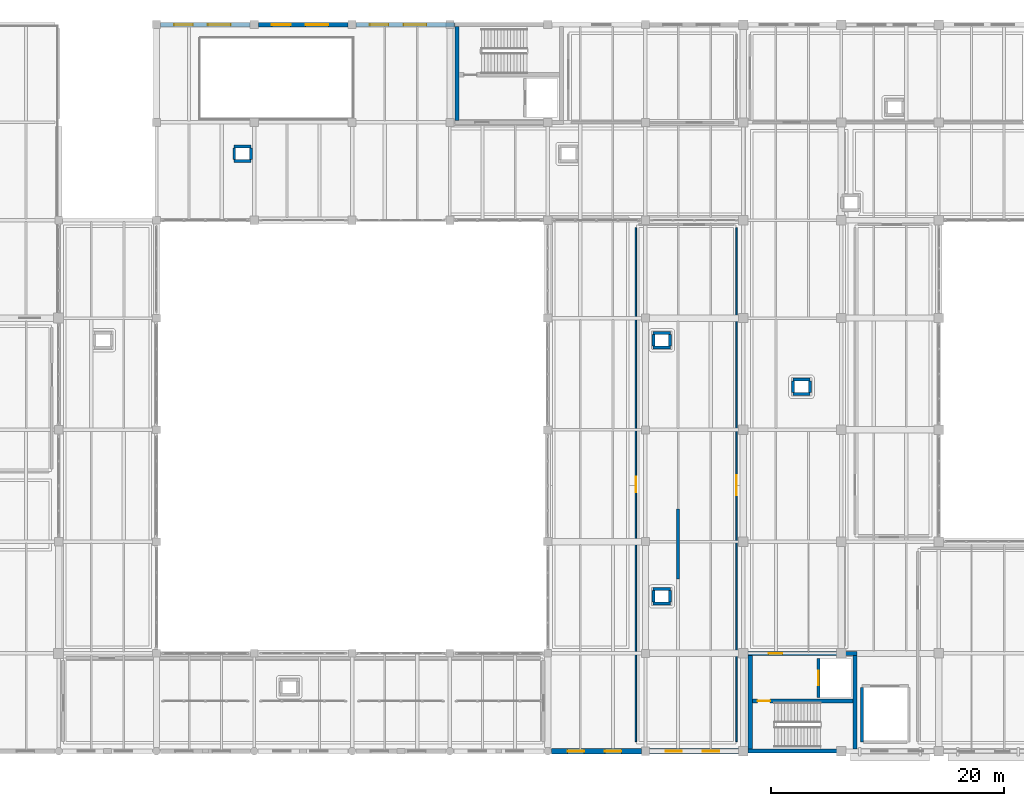
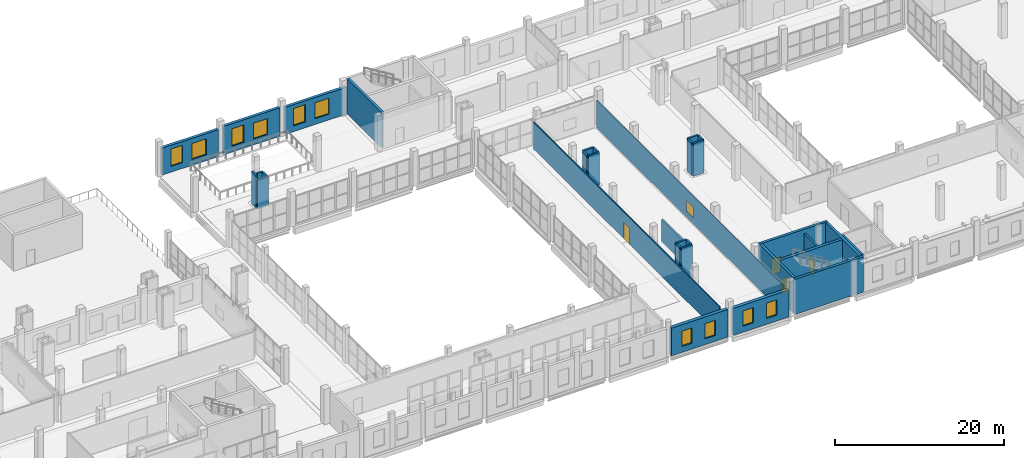
# One storey, part 58 of 73: 32 walls, 11 windows, 4 doors, 15 openings.
"""IFC4 building model written with IfcOpenShell, lengths in metres."""

import ifcopenshell
import ifcopenshell.guid

model = None  # the IFC model being written
_history = None  # IfcOwnerHistory: only IFC2X3 demands one
_inside = {}  # id of a spatial element -> (the spatial element, [elements in it])
_under = {}  # id of a project, library or spatial element -> (it, [spatial elements below it])
_declared = {}  # id of a project -> (the project, [libraries it declares])
_typed = {}  # id of a type object -> (the type object, [elements of that type])
_made_of = {}  # id of a material, layer set ... -> (it, [elements and type objects made of it])


def new_model(schema):
    """Start an empty IFC model of exactly this schema.

    Asked for "IFC4X3", IfcOpenShell would pick the latest addendum, in which some entities
    have other attributes; the version numbers below select the first issue.
    IFC2X3 requires an IfcOwnerHistory on every rooted entity: one is made here for all.
    """
    global model, _history
    if schema == "IFC4X3":
        model = ifcopenshell.file(schema_version=(4, 3, 0, 0))
    else:
        model = ifcopenshell.file(schema=schema)
    _inside.clear()
    _under.clear()
    _declared.clear()
    _typed.clear()
    _made_of.clear()
    _history = None
    if model.schema == "IFC2X3":
        org = make("IfcOrganization", Name="unknown")
        user = make(
            "IfcPersonAndOrganization",
            ThePerson=make("IfcPerson", FamilyName="unknown"),
            TheOrganization=org,
        )
        app = make(
            "IfcApplication",
            ApplicationDeveloper=org,
            Version="unknown",
            ApplicationFullName="unknown",
            ApplicationIdentifier="unknown",
        )
        _history = make(
            "IfcOwnerHistory",
            OwningUser=user,
            OwningApplication=app,
            ChangeAction="ADDED",
            CreationDate=0,
        )
    return model


def make(cls, **values):
    """One entity of the class cls with the attributes given. An attribute that is None is left unset."""
    return model.create_entity(
        cls, **{name: value for name, value in values.items() if value is not None}
    )


def rooted(cls, **values):
    """An entity with a GlobalId (a new one), such as an element, a storey or a relation."""
    return make(cls, GlobalId=ifcopenshell.guid.new(), OwnerHistory=_history, **values)


def si_unit(unit_type, name, prefix=None):
    """IfcSIUnit, for example si_unit("LENGTHUNIT", "METRE", prefix="MILLI")."""
    return make("IfcSIUnit", UnitType=unit_type, Prefix=prefix, Name=name)


def assignment(units):
    """IfcUnitAssignment: the units of a project."""
    return None if units is None else make("IfcUnitAssignment", Units=units)


def point(xyz):
    """IfcCartesianPoint."""
    return None if xyz is None else make("IfcCartesianPoint", Coordinates=xyz)


def direction(xyz):
    """IfcDirection."""
    return None if xyz is None else make("IfcDirection", DirectionRatios=xyz)


def frame(location, z_axis=None, x_axis=None):
    """IfcAxis2Placement3D, a coordinate frame: its origin and axes. An axis left out is left unset."""
    return make(
        "IfcAxis2Placement3D",
        Location=point(location),
        Axis=direction(z_axis),
        RefDirection=direction(x_axis),
    )


def frame_2d(location, x_axis=None):
    """IfcAxis2Placement2D, a coordinate frame in the plane: its origin and x axis."""
    return make(
        "IfcAxis2Placement2D", Location=point(location), RefDirection=direction(x_axis)
    )


def origin():
    """The frame at (0, 0, 0) with its axes left unset."""
    return frame((0.0, 0.0, 0.0))


def place(relative_to, where):
    """IfcLocalPlacement: puts the frame where relative to a parent placement (None: the world)."""
    return make(
        "IfcLocalPlacement", PlacementRelTo=relative_to, RelativePlacement=where
    )


def context(
    kind, dimensions, precision=None, world=None, true_north=None, identifier=None
):
    """IfcGeometricRepresentationContext, for example the 3D "Model" context."""
    return make(
        "IfcGeometricRepresentationContext",
        ContextIdentifier=identifier,
        ContextType=kind,
        CoordinateSpaceDimension=dimensions,
        Precision=precision,
        WorldCoordinateSystem=world,
        TrueNorth=true_north,
    )


def subcontext(parent, identifier, kind, view, scale=None):
    """IfcGeometricRepresentationSubContext, for example "Body" below "Model"."""
    return make(
        "IfcGeometricRepresentationSubContext",
        ContextIdentifier=identifier,
        ContextType=kind,
        ParentContext=parent,
        TargetScale=scale,
        TargetView=view,
    )


def project(units=None, contexts=None):
    """IfcProject with its units and contexts."""
    return rooted(
        "IfcProject",
        Name="project",
        RepresentationContexts=contexts,
        UnitsInContext=assignment(units),
    )


def spatial(cls, under=None, at=None, **own):
    """A site, building, storey or space (cls), placed at a placement, below another one or the project."""
    s = rooted(cls, ObjectPlacement=at, **own)
    if under is not None:
        _under.setdefault(under.id(), (under, []))[1].append(s)
    return s


def profile(cls, at=None, kind="AREA", **sizes):
    """A parametric profile (cls). Its sizes go by their IFC names, for example OverallWidth=200.0."""
    return make(cls, ProfileType=kind, Position=at, **sizes)


def rectangle(**sizes):
    """IfcRectangleProfileDef."""
    return profile("IfcRectangleProfileDef", **sizes)


def extrude(swept, where, along, depth):
    """IfcExtrudedAreaSolid: the profile swept, set in the frame where, extruded along a direction by depth."""
    return make(
        "IfcExtrudedAreaSolid",
        SweptArea=swept,
        Position=where,
        ExtrudedDirection=direction(along),
        Depth=depth,
    )


def shape(context_of_items, identifier, shape_type, items):
    """IfcShapeRepresentation: the items that make up one representation, for example the "Body"."""
    return make(
        "IfcShapeRepresentation",
        ContextOfItems=context_of_items,
        RepresentationIdentifier=identifier,
        RepresentationType=shape_type,
        Items=items,
    )


def material(Name=None, Category=None):
    """IfcMaterial."""
    return make("IfcMaterial", Name=Name, Category=Category)


def layer(
    of_material, thickness, ventilated=None, Name=None, Category=None, Priority=None
):
    """IfcMaterialLayer: one layer of a wall or slab, of a material (None: an air gap)."""
    return make(
        "IfcMaterialLayer",
        Material=of_material,
        LayerThickness=thickness,
        IsVentilated=ventilated,
        Name=Name,
        Category=Category,
        Priority=Priority,
    )


def layer_set(layers, Name=None):
    """IfcMaterialLayerSet."""
    return make("IfcMaterialLayerSet", MaterialLayers=layers, LayerSetName=Name)


def made_of(thing, what):
    """Note that an element or type object is made of a material, layer set ...; save() writes the relation."""
    if what is not None:
        _made_of.setdefault(what.id(), (what, []))[1].append(thing)
    return thing


def type_object(cls, material=None, **own):
    """A type object (cls), such as IfcWallType, which elements share."""
    return made_of(rooted(cls, **own), material)


def element(
    cls,
    number,
    at=None,
    inside=None,
    cuts=None,
    type_object=None,
    material=None,
    context=None,
    identifier="Body",
    shape_type=None,
    held_by="IfcProductDefinitionShape",
    body=None,
    shapes=None,
    **own,
):
    """One element of the class cls, such as IfcWall. Its Tag is "e" and its number.

    at: its placement. inside: the storey or other place that contains it. cuts: it is an
    opening in that element (IfcRelVoidsElement). A single representation is given by context,
    identifier, shape_type and body (its items); several are given by shapes. held_by: the class
    of the entity that holds the representations. save() writes the other relations.
    """
    e = rooted(cls, Tag="e%d" % number, ObjectPlacement=at, **own)
    if body is not None:
        shapes = [shape(context, identifier, shape_type, body)]
    if shapes is not None:
        e.Representation = make(held_by, Representations=shapes)
    if inside is not None:
        _inside.setdefault(inside.id(), (inside, []))[1].append(e)
    if cuts is not None:
        rooted(
            "IfcRelVoidsElement", RelatingBuildingElement=cuts, RelatedOpeningElement=e
        )
    if type_object is not None:
        _typed.setdefault(type_object.id(), (type_object, []))[1].append(e)
    return made_of(e, material)


def fill(opening, filler):
    """IfcRelFillsElement: the door or window that sits in an opening."""
    return rooted(
        "IfcRelFillsElement",
        RelatingOpeningElement=opening,
        RelatedBuildingElement=filler,
    )


def aggregate(whole, parts):
    """IfcRelAggregates: a whole, such as a stair, and the parts it consists of."""
    return rooted("IfcRelAggregates", RelatingObject=whole, RelatedObjects=parts)


def save(model, path):
    """Write the relations noted so far, then the file.

    IfcRelAggregates (storeys below a building ...), IfcRelContainedInSpatialStructure (elements
    in a storey), IfcRelDefinesByType, IfcRelAssociatesMaterial and IfcRelDeclares: one each for
    every whole, place, type object, material and project.
    """
    for whole, parts in _under.values():
        aggregate(whole, parts)
    for where, things in _inside.values():
        rooted(
            "IfcRelContainedInSpatialStructure",
            RelatedElements=things,
            RelatingStructure=where,
        )
    for kind, things in _typed.values():
        rooted("IfcRelDefinesByType", RelatedObjects=things, RelatingType=kind)
    for what, things in _made_of.values():
        rooted("IfcRelAssociatesMaterial", RelatedObjects=things, RelatingMaterial=what)
    for by, libraries in _declared.values():
        rooted("IfcRelDeclares", RelatingContext=by, RelatedDefinitions=libraries)
    model.write(path)


model = new_model("IFC4")

# Units and contexts
model_context = context("Model", 3, precision=1e-05, world=origin(), true_north=direction((0.0, 1.0)))
body_context = subcontext(model_context, "Body", "Model", "MODEL_VIEW")
ifc_project = project(units=[si_unit("LENGTHUNIT", "METRE"), si_unit("AREAUNIT", "SQUARE_METRE"), si_unit("VOLUMEUNIT", "CUBIC_METRE"), si_unit("PLANEANGLEUNIT", "RADIAN"), si_unit("MASSUNIT", "GRAM", prefix="KILO")], contexts=[model_context])

# Site, building, storey
site_placement = place(None, origin())
site = spatial("IfcSite", under=ifc_project, at=site_placement, CompositionType="ELEMENT")
building_placement = place(site_placement, origin())
building = spatial("IfcBuilding", under=site, at=building_placement, Name="Zulmaris Art Gallery", CompositionType="ELEMENT")
storey_placement = place(building_placement, frame((0.0, 0.0, 10.5)))
storey = spatial("IfcBuildingStorey", under=building, at=storey_placement, Name="L02", CompositionType="ELEMENT", Elevation=10.5)

# Wall, openings, windows
ifc_material_1 = material(Name="Omani Cream Limestone Ashlar Masonry", Category="masonry")
ifc_layer_1 = layer(ifc_material_1, 0.43994140625)
ifc_layer_set_1 = layer_set([ifc_layer_1], Name="Omani Cream Limestone Ashlar Masonry")
wall_type_1 = type_object("IfcWallType", Name="ENV-WALL-EW01", PredefinedType="SOLIDWALL", material=ifc_layer_set_1)
wall_1_placement = place(storey_placement, frame((125.126953125, 13.199951171875, 0.0), z_axis=(0.0, 0.0, 1.0), x_axis=(1.0, 0.0, 0.0)))
wall_1 = element("IfcWall", 1, at=wall_1_placement, inside=storey, type_object=wall_type_1, Name="L02 V4 South Street Facade", PredefinedType="SOLIDWALL", context=body_context, shape_type="SweptSolid", body=[
    extrude(rectangle(XDim=7.720947265625, YDim=0.43994140625, at=frame_2d((3.8603515625, 0.0))), origin(), (0.0, 0.0, 1.0), 4.0),
])
opening_1_placement = place(wall_1_placement, frame((1.39306640625, 0.0, 0.85009765625)))
opening_1 = element("IfcOpeningElement", 2, at=opening_1_placement, cuts=wall_1, Name="Opening W04", PredefinedType="OPENING", context=body_context, shape_type="SweptSolid", body=[
    extrude(rectangle(XDim=1.39990234375, YDim=2.199951171875, at=frame_2d((0.699951171875, 1.10009765625))), frame((0.0, 0.22998046875, 0.0), z_axis=(0.0, -1.0, 0.0), x_axis=(1.0, 0.0, 0.0)), (0.0, 0.0, 1.0), 0.4599609375),
])
opening_2_placement = place(wall_1_placement, frame((4.593017578125, 0.0, 0.85009765625)))
opening_2 = element("IfcOpeningElement", 3, at=opening_2_placement, cuts=wall_1, Name="Opening W04", PredefinedType="OPENING", context=body_context, shape_type="SweptSolid", body=[
    extrude(rectangle(XDim=1.39990234375, YDim=2.199951171875, at=frame_2d((0.699951171875, 1.10009765625))), frame((0.0, 0.22998046875, 0.0), z_axis=(0.0, -1.0, 0.0), x_axis=(1.0, 0.0, 0.0)), (0.0, 0.0, 1.0), 0.4599609375),
])
ifc_material_2 = material(Name="Deep-Reveal Limestone Slot Window", Category="masonry")
window_type_1 = type_object("IfcWindowType", Name="WIN-W04", PartitioningType="SINGLE_PANEL", PredefinedType="WINDOW", material=ifc_material_2)
window_1_placement = place(opening_1_placement, origin())
window_1 = element("IfcWindow", 4, at=window_1_placement, inside=storey, type_object=window_type_1, Name="L02 exterior window W04", OverallHeight=2.199951171875, OverallWidth=1.39990234375, PartitioningType="SINGLE_PANEL", PredefinedType="WINDOW", context=body_context, shape_type="SweptSolid", body=[
    extrude(rectangle(XDim=1.39990234375, YDim=2.199951171875, at=frame_2d((0.699951171875, 1.10009765625))), frame((0.0, 0.030029296875, 0.0), z_axis=(0.0, -1.0, 0.0), x_axis=(1.0, 0.0, 0.0)), (0.0, 0.0, 1.0), 0.06005859375),
])
fill(opening_1, window_1)
window_2_placement = place(opening_2_placement, origin())
window_2 = element("IfcWindow", 5, at=window_2_placement, inside=storey, type_object=window_type_1, Name="L02 exterior window W04", OverallHeight=2.199951171875, OverallWidth=1.39990234375, PartitioningType="SINGLE_PANEL", PredefinedType="WINDOW", context=body_context, shape_type="SweptSolid", body=[
    extrude(rectangle(XDim=1.39990234375, YDim=2.199951171875, at=frame_2d((0.699951171875, 1.10009765625))), frame((0.0, 0.030029296875, 0.0), z_axis=(0.0, -1.0, 0.0), x_axis=(1.0, 0.0, 0.0)), (0.0, 0.0, 1.0), 0.06005859375),
])
fill(opening_2, window_2)

wall_2_placement = place(storey_placement, frame((133.552001953125, 13.199951171875, 0.0), z_axis=(0.0, 0.0, 1.0), x_axis=(1.0, 0.0, 0.0)))
wall_2 = element("IfcWall", 6, at=wall_2_placement, inside=storey, type_object=wall_type_1, Name="L02 V4 South Street Facade", PredefinedType="SOLIDWALL", context=body_context, shape_type="SweptSolid", body=[
    extrude(rectangle(XDim=7.64599609375, YDim=0.43994140625, at=frame_2d((3.822998046875, 0.0))), origin(), (0.0, 0.0, 1.0), 3.89990234375),
])
opening_3_placement = place(wall_2_placement, frame((1.367919921875, 0.0, 0.85009765625)))
opening_3 = element("IfcOpeningElement", 7, at=opening_3_placement, cuts=wall_2, Name="Opening W04", PredefinedType="OPENING", context=body_context, shape_type="SweptSolid", body=[
    extrude(rectangle(XDim=1.39990234375, YDim=2.199951171875, at=frame_2d((0.699951171875, 1.10009765625))), frame((0.0, 0.22998046875, 0.0), z_axis=(0.0, -1.0, 0.0), x_axis=(1.0, 0.0, 0.0)), (0.0, 0.0, 1.0), 0.4599609375),
])
opening_4_placement = place(wall_2_placement, frame((4.568115234375, 0.0, 0.85009765625)))
opening_4 = element("IfcOpeningElement", 8, at=opening_4_placement, cuts=wall_2, Name="Opening W04", PredefinedType="OPENING", context=body_context, shape_type="SweptSolid", body=[
    extrude(rectangle(XDim=1.39990234375, YDim=2.199951171875, at=frame_2d((0.699951171875, 1.10009765625))), frame((0.0, 0.22998046875, 0.0), z_axis=(0.0, -1.0, 0.0), x_axis=(1.0, 0.0, 0.0)), (0.0, 0.0, 1.0), 0.4599609375),
])
window_3_placement = place(opening_3_placement, origin())
window_3 = element("IfcWindow", 9, at=window_3_placement, inside=storey, type_object=window_type_1, Name="L02 exterior window W04", OverallHeight=2.199951171875, OverallWidth=1.39990234375, PartitioningType="SINGLE_PANEL", PredefinedType="WINDOW", context=body_context, shape_type="SweptSolid", body=[
    extrude(rectangle(XDim=1.39990234375, YDim=2.199951171875, at=frame_2d((0.699951171875, 1.10009765625))), frame((0.0, 0.030029296875, 0.0), z_axis=(0.0, -1.0, 0.0), x_axis=(1.0, 0.0, 0.0)), (0.0, 0.0, 1.0), 0.06005859375),
])
fill(opening_3, window_3)
window_4_placement = place(opening_4_placement, origin())
window_4 = element("IfcWindow", 10, at=window_4_placement, inside=storey, type_object=window_type_1, Name="L02 exterior window W04", OverallHeight=2.199951171875, OverallWidth=1.39990234375, PartitioningType="SINGLE_PANEL", PredefinedType="WINDOW", context=body_context, shape_type="SweptSolid", body=[
    extrude(rectangle(XDim=1.39990234375, YDim=2.199951171875, at=frame_2d((0.699951171875, 1.10009765625))), frame((0.0, 0.030029296875, 0.0), z_axis=(0.0, -1.0, 0.0), x_axis=(1.0, 0.0, 0.0)), (0.0, 0.0, 1.0), 0.06005859375),
])
fill(opening_4, window_4)

ifc_material_3 = material(Name="Omani Desert Rose Limestone Cladding Wall", Category="masonry")
ifc_layer_2 = layer(ifc_material_3, 0.389892578125)
ifc_layer_set_2 = layer_set([ifc_layer_2], Name="Omani Desert Rose Limestone Cladding Wall")
wall_type_2 = type_object("IfcWallType", Name="ENV-WALL-EW02", PredefinedType="SOLIDWALL", material=ifc_layer_set_2)
wall_3_placement = place(storey_placement, frame((91.552001953125, 75.60009765625, 0.0), z_axis=(0.0, 0.0, 1.0), x_axis=(1.0, 0.0, 0.0)))
wall_3 = element("IfcWall", 11, at=wall_3_placement, inside=storey, type_object=wall_type_2, Name="L02 V4 North Alley Limestone Facade (91.2..99.6)", PredefinedType="SOLIDWALL", context=body_context, shape_type="SweptSolid", body=[
    extrude(rectangle(XDim=7.696044921875, YDim=0.389892578125, at=frame_2d((3.84814453125, 0.0))), origin(), (0.0, 0.0, 1.0), 3.89990234375),
])
opening_5_placement = place(wall_3_placement, frame((1.16796875, 0.0, 0.85009765625)))
opening_5 = element("IfcOpeningElement", 12, at=opening_5_placement, cuts=wall_3, Name="Opening W01", PredefinedType="OPENING", context=body_context, shape_type="SweptSolid", body=[
    extrude(rectangle(XDim=1.60009765625, YDim=2.5, at=frame_2d((0.800048828125, 1.25))), frame((0.0, 0.204833984375, 0.0), z_axis=(0.0, -1.0, 0.0), x_axis=(1.0, 0.0, 0.0)), (0.0, 0.0, 1.0), 0.409912109375),
])
opening_6_placement = place(wall_3_placement, frame((4.068115234375, 0.0, 0.85009765625)))
opening_6 = element("IfcOpeningElement", 13, at=opening_6_placement, cuts=wall_3, Name="Opening W08", PredefinedType="OPENING", context=body_context, shape_type="SweptSolid", body=[
    extrude(rectangle(XDim=1.949951171875, YDim=2.300048828125, at=frame_2d((0.97509765625, 1.14990234375))), frame((0.0, 0.204833984375, 0.0), z_axis=(0.0, -1.0, 0.0), x_axis=(1.0, 0.0, 0.0)), (0.0, 0.0, 1.0), 0.409912109375),
])
ifc_material_4 = material(Name="Double-Glazed Solar-Control Low-E Window", Category="glass")
window_type_2 = type_object("IfcWindowType", Name="WIN-W01", PartitioningType="SINGLE_PANEL", PredefinedType="WINDOW", material=ifc_material_4)
window_5_placement = place(opening_5_placement, origin())
window_5 = element("IfcWindow", 14, at=window_5_placement, inside=storey, type_object=window_type_2, Name="L02 exterior window W01", OverallHeight=2.5, OverallWidth=1.60009765625, PartitioningType="SINGLE_PANEL", PredefinedType="WINDOW", context=body_context, shape_type="SweptSolid", body=[
    extrude(rectangle(XDim=1.60009765625, YDim=2.5, at=frame_2d((0.800048828125, 1.25))), frame((0.0, 0.030029296875, 0.0), z_axis=(0.0, -1.0, 0.0), x_axis=(1.0, 0.0, 0.0)), (0.0, 0.0, 1.0), 0.06005859375),
])
fill(opening_5, window_5)
ifc_material_5 = material(Name="Curatorial North Studio Window", Category="glass")
window_type_3 = type_object("IfcWindowType", Name="WIN-W08", PartitioningType="SINGLE_PANEL", PredefinedType="WINDOW", material=ifc_material_5)
window_6_placement = place(opening_6_placement, origin())
window_6 = element("IfcWindow", 15, at=window_6_placement, inside=storey, type_object=window_type_3, Name="L02 exterior window W08", OverallHeight=2.300048828125, OverallWidth=1.949951171875, PartitioningType="SINGLE_PANEL", PredefinedType="WINDOW", context=body_context, shape_type="SweptSolid", body=[
    extrude(rectangle(XDim=1.949951171875, YDim=2.300048828125, at=frame_2d((0.97509765625, 1.14990234375))), frame((0.0, 0.030029296875, 0.0), z_axis=(0.0, -1.0, 0.0), x_axis=(1.0, 0.0, 0.0)), (0.0, 0.0, 1.0), 0.06005859375),
])
fill(opening_6, window_6)

wall_4_placement = place(storey_placement, frame((99.951904296875, 75.60009765625, 0.0), z_axis=(0.0, 0.0, 1.0), x_axis=(1.0, 0.0, 0.0)))
wall_4 = element("IfcWall", 16, at=wall_4_placement, inside=storey, type_object=wall_type_2, Name="L02 V4 North Alley Limestone Facade (99.6..108.0)", PredefinedType="SOLIDWALL", context=body_context, shape_type="SweptSolid", body=[
    extrude(rectangle(XDim=7.696044921875, YDim=0.389892578125, at=frame_2d((3.84814453125, 0.0))), origin(), (0.0, 0.0, 1.0), 4.10009765625),
])
opening_7_placement = place(wall_4_placement, frame((1.16796875, 0.0, 0.85009765625)))
opening_7 = element("IfcOpeningElement", 17, at=opening_7_placement, cuts=wall_4, Name="Opening W01", PredefinedType="OPENING", context=body_context, shape_type="SweptSolid", body=[
    extrude(rectangle(XDim=1.60009765625, YDim=2.5, at=frame_2d((0.800048828125, 1.25))), frame((0.0, 0.204833984375, 0.0), z_axis=(0.0, -1.0, 0.0), x_axis=(1.0, 0.0, 0.0)), (0.0, 0.0, 1.0), 0.409912109375),
])
opening_8_placement = place(wall_4_placement, frame((4.068115234375, 0.0, 0.85009765625)))
opening_8 = element("IfcOpeningElement", 18, at=opening_8_placement, cuts=wall_4, Name="Opening W08", PredefinedType="OPENING", context=body_context, shape_type="SweptSolid", body=[
    extrude(rectangle(XDim=1.949951171875, YDim=2.300048828125, at=frame_2d((0.97509765625, 1.14990234375))), frame((0.0, 0.204833984375, 0.0), z_axis=(0.0, -1.0, 0.0), x_axis=(1.0, 0.0, 0.0)), (0.0, 0.0, 1.0), 0.409912109375),
])
window_7_placement = place(opening_7_placement, origin())
window_7 = element("IfcWindow", 19, at=window_7_placement, inside=storey, type_object=window_type_2, Name="L02 exterior window W01", OverallHeight=2.5, OverallWidth=1.60009765625, PartitioningType="SINGLE_PANEL", PredefinedType="WINDOW", context=body_context, shape_type="SweptSolid", body=[
    extrude(rectangle(XDim=1.60009765625, YDim=2.5, at=frame_2d((0.800048828125, 1.25))), frame((0.0, 0.030029296875, 0.0), z_axis=(0.0, -1.0, 0.0), x_axis=(1.0, 0.0, 0.0)), (0.0, 0.0, 1.0), 0.06005859375),
])
fill(opening_7, window_7)
window_8_placement = place(opening_8_placement, origin())
window_8 = element("IfcWindow", 20, at=window_8_placement, inside=storey, type_object=window_type_3, Name="L02 exterior window W08", OverallHeight=2.300048828125, OverallWidth=1.949951171875, PartitioningType="SINGLE_PANEL", PredefinedType="WINDOW", context=body_context, shape_type="SweptSolid", body=[
    extrude(rectangle(XDim=1.949951171875, YDim=2.300048828125, at=frame_2d((0.97509765625, 1.14990234375))), frame((0.0, 0.030029296875, 0.0), z_axis=(0.0, -1.0, 0.0), x_axis=(1.0, 0.0, 0.0)), (0.0, 0.0, 1.0), 0.06005859375),
])
fill(opening_8, window_8)

wall_5_placement = place(storey_placement, frame((108.35205078125, 75.60009765625, 0.0), z_axis=(0.0, 0.0, 1.0), x_axis=(1.0, 0.0, 0.0)))
wall_5 = element("IfcWall", 21, at=wall_5_placement, inside=storey, type_object=wall_type_2, Name="L02 V4 North Alley Limestone Facade (108.0..116.8)", PredefinedType="SOLIDWALL", context=body_context, shape_type="SweptSolid", body=[
    extrude(rectangle(XDim=8.43603515625, YDim=0.389892578125, at=frame_2d((4.218017578125, 0.0))), origin(), (0.0, 0.0, 1.0), 3.89990234375),
])
opening_9_placement = place(wall_5_placement, frame((1.16796875, 0.0, 0.85009765625)))
opening_9 = element("IfcOpeningElement", 22, at=opening_9_placement, cuts=wall_5, Name="Opening W01", PredefinedType="OPENING", context=body_context, shape_type="SweptSolid", body=[
    extrude(rectangle(XDim=1.60009765625, YDim=2.5, at=frame_2d((0.800048828125, 1.25))), frame((0.0, 0.204833984375, 0.0), z_axis=(0.0, -1.0, 0.0), x_axis=(1.0, 0.0, 0.0)), (0.0, 0.0, 1.0), 0.409912109375),
])
opening_10_placement = place(wall_5_placement, frame((4.068115234375, 0.0, 0.85009765625)))
opening_10 = element("IfcOpeningElement", 23, at=opening_10_placement, cuts=wall_5, Name="Opening W08", PredefinedType="OPENING", context=body_context, shape_type="SweptSolid", body=[
    extrude(rectangle(XDim=1.949951171875, YDim=2.300048828125, at=frame_2d((0.97509765625, 1.14990234375))), frame((0.0, 0.204833984375, 0.0), z_axis=(0.0, -1.0, 0.0), x_axis=(1.0, 0.0, 0.0)), (0.0, 0.0, 1.0), 0.409912109375),
])
window_9_placement = place(opening_9_placement, origin())
window_9 = element("IfcWindow", 24, at=window_9_placement, inside=storey, type_object=window_type_2, Name="L02 exterior window W01", OverallHeight=2.5, OverallWidth=1.60009765625, PartitioningType="SINGLE_PANEL", PredefinedType="WINDOW", context=body_context, shape_type="SweptSolid", body=[
    extrude(rectangle(XDim=1.60009765625, YDim=2.5, at=frame_2d((0.800048828125, 1.25))), frame((0.0, 0.030029296875, 0.0), z_axis=(0.0, -1.0, 0.0), x_axis=(1.0, 0.0, 0.0)), (0.0, 0.0, 1.0), 0.06005859375),
])
fill(opening_9, window_9)
window_10_placement = place(opening_10_placement, origin())
window_10 = element("IfcWindow", 25, at=window_10_placement, inside=storey, type_object=window_type_3, Name="L02 exterior window W08", OverallHeight=2.300048828125, OverallWidth=1.949951171875, PartitioningType="SINGLE_PANEL", PredefinedType="WINDOW", context=body_context, shape_type="SweptSolid", body=[
    extrude(rectangle(XDim=1.949951171875, YDim=2.300048828125, at=frame_2d((0.97509765625, 1.14990234375))), frame((0.0, 0.030029296875, 0.0), z_axis=(0.0, -1.0, 0.0), x_axis=(1.0, 0.0, 0.0)), (0.0, 0.0, 1.0), 0.06005859375),
])
fill(opening_10, window_10)

# Wall
ifc_material_6 = material(Name="Pivoting Double-Sided Canvas Display Wall D", Category="timber")
ifc_layer_3 = layer(ifc_material_6, 0.248046875)
ifc_layer_set_3 = layer_set([ifc_layer_3], Name="Pivoting Double-Sided Canvas Display Wall D")
wall_type_3 = type_object("IfcWallType", Name="IWALL-MW04", PredefinedType="MOVABLE", material=ifc_layer_set_3)
wall_6_placement = place(storey_placement, frame((136.0, 28.0, 0.0), z_axis=(0.0, 0.0, 1.0), x_axis=(0.0, 1.0, 0.0)))
element("IfcWall", 26, at=wall_6_placement, inside=storey, type_object=wall_type_3, Name="L02 Movable Gallery Display Wall 12", PredefinedType="MOVABLE", context=body_context, shape_type="SweptSolid", body=[
    extrude(rectangle(XDim=6.0, YDim=0.248046875, at=frame_2d((3.0, 0.0))), origin(), (0.0, 0.0, 1.0), 3.199951171875),
])

# Wall, opening, door
ifc_material_7 = material(Name="Light Gallery Backing Partition", Category="gypsum")
ifc_layer_4 = layer(ifc_material_7, 0.1298828125)
ifc_layer_set_4 = layer_set([ifc_layer_4], Name="Light Gallery Backing Partition")
wall_type_4 = type_object("IfcWallType", Name="IWALL-PW03", PredefinedType="PARTITIONING", material=ifc_layer_set_4)
wall_7_placement = place(storey_placement, frame((132.3798828125, 14.030029296875, 0.0), z_axis=(0.0, 0.0, 1.0), x_axis=(0.0, 1.0, 0.0)))
wall_7 = element("IfcWall", 27, at=wall_7_placement, inside=storey, type_object=wall_type_4, Name="Architectural Models & Drawings Gallery W partition", PredefinedType="PARTITIONING", context=body_context, shape_type="SweptSolid", body=[
    extrude(rectangle(XDim=44.139892578125, YDim=0.1298828125, at=frame_2d((22.06982421875, 0.0))), origin(), (0.0, 0.0, 1.0), 3.89990234375),
])
opening_11_placement = place(wall_7_placement, frame((21.39990234375, 0.0, 0.0)))
opening_11 = element("IfcOpeningElement", 28, at=opening_11_placement, cuts=wall_7, Name="Opening D11", PredefinedType="OPENING", context=body_context, shape_type="SweptSolid", body=[
    extrude(rectangle(XDim=1.360107421875, YDim=2.360107421875, at=frame_2d((0.68017578125, 1.18017578125))), frame((0.0, 0.074951171875, 0.0), z_axis=(0.0, -1.0, 0.0), x_axis=(1.0, 0.0, 0.0)), (0.0, 0.0, 1.0), 0.14990234375),
])
ifc_material_8 = material(Name="Workshop Acoustic Steel Door", Category="steel")
door_type_1 = type_object("IfcDoorType", Name="IDOOR-D11", OperationType="NOTDEFINED", PredefinedType="DOOR", material=ifc_material_8)
door_1_placement = place(opening_11_placement, origin())
door_1 = element("IfcDoor", 29, at=door_1_placement, inside=storey, type_object=door_type_1, Name="Architectural Models & Drawings Gallery Door", OperationType="SINGLE_SWING_RIGHT", OverallHeight=2.360107421875, OverallWidth=1.360107421875, PredefinedType="DOOR", context=body_context, shape_type="SweptSolid", body=[
    extrude(rectangle(XDim=1.360107421875, YDim=2.360107421875, at=frame_2d((0.68017578125, 1.18017578125))), frame((0.0, 0.02490234375, 0.0), z_axis=(0.0, -1.0, 0.0), x_axis=(1.0, 0.0, 0.0)), (0.0, 0.0, 1.0), 0.050048828125),
])
fill(opening_11, door_1)

# Wall, opening, window
wall_8_placement = place(storey_placement, frame((141.02001953125, 14.030029296875, 0.0), z_axis=(0.0, 0.0, 1.0), x_axis=(0.0, 1.0, 0.0)))
wall_8 = element("IfcWall", 30, at=wall_8_placement, inside=storey, type_object=wall_type_4, Name="Architectural Models & Drawings Gallery E partition", PredefinedType="PARTITIONING", context=body_context, shape_type="SweptSolid", body=[
    extrude(rectangle(XDim=44.139892578125, YDim=0.1298828125, at=frame_2d((22.06982421875, 0.0))), origin(), (0.0, 0.0, 1.0), 4.0),
])
opening_12_placement = place(wall_8_placement, frame((21.14990234375, 0.0, 0.89990234375)))
opening_12 = element("IfcOpeningElement", 31, at=opening_12_placement, cuts=wall_8, Name="Opening IW06", PredefinedType="OPENING", context=body_context, shape_type="SweptSolid", body=[
    extrude(rectangle(XDim=1.719970703125, YDim=1.4599609375, at=frame_2d((0.85986328125, 0.72998046875))), frame((0.0, 0.074951171875, 0.0), z_axis=(0.0, -1.0, 0.0), x_axis=(1.0, 0.0, 0.0)), (0.0, 0.0, 1.0), 0.14990234375),
])
ifc_material_9 = material(Name="Library Reading Room Internal Glazing", Category="glass")
window_type_4 = type_object("IfcWindowType", Name="IWIN-IW06", PartitioningType="SINGLE_PANEL", PredefinedType="WINDOW", material=ifc_material_9)
window_11_placement = place(opening_12_placement, origin())
window_11 = element("IfcWindow", 32, at=window_11_placement, inside=storey, type_object=window_type_4, Name="L02 interior observation window IW06", OverallHeight=1.4599609375, OverallWidth=1.719970703125, PartitioningType="SINGLE_PANEL", PredefinedType="WINDOW", context=body_context, shape_type="SweptSolid", body=[
    extrude(rectangle(XDim=1.719970703125, YDim=1.4599609375, at=frame_2d((0.85986328125, 0.72998046875))), frame((0.0, 0.030029296875, 0.0), z_axis=(0.0, -1.0, 0.0), x_axis=(1.0, 0.0, 0.0)), (0.0, 0.0, 1.0), 0.06005859375),
])
fill(opening_12, window_11)

# Wall, opening, door
ifc_material_10 = material(Name="Core Lobby Fire-Resisting Masonry Wall", Category="masonry")
ifc_layer_5 = layer(ifc_material_10, 0.235107421875)
ifc_layer_set_5 = layer_set([ifc_layer_5], Name="Core Lobby Fire-Resisting Masonry Wall")
wall_type_5 = type_object("IfcWallType", Name="IWALL-PW10", PredefinedType="PARTITIONING", material=ifc_layer_set_5)
wall_9_placement = place(storey_placement, frame((148.050048828125, 17.820068359375, 0.0), z_axis=(0.0, 0.0, 1.0), x_axis=(0.0, 1.0, 0.0)))
wall_9 = element("IfcWall", 33, at=wall_9_placement, inside=storey, type_object=wall_type_5, Name="LF-F2 L02 lift shaft front wall", PredefinedType="PARTITIONING", context=body_context, shape_type="SweptSolid", body=[
    extrude(rectangle(XDim=3.329833984375, YDim=0.235107421875, at=frame_2d((1.6650390625, 0.0))), origin(), (0.0, 0.0, 1.0), 4.719970703125),
])
opening_13_placement = place(wall_9_placement, frame((1.054931640625, 0.0, 0.0)))
opening_13 = element("IfcOpeningElement", 34, at=opening_13_placement, cuts=wall_9, Name="Opening LD02", PredefinedType="OPENING", context=body_context, shape_type="SweptSolid", body=[
    extrude(rectangle(XDim=1.219970703125, YDim=2.239990234375, at=frame_2d((0.60986328125, 1.1201171875))), frame((0.0, 0.12744140625, 0.0), z_axis=(0.0, -1.0, 0.0), x_axis=(1.0, 0.0, 0.0)), (0.0, 0.0, 1.0), 0.255126953125),
])
ifc_material_11 = material(Name="Firefighting Lift Sliding Landing Door", Category="steel")
door_type_2 = type_object("IfcDoorType", Name="IDOOR-LD02", OperationType="SLIDING_TO_RIGHT", PredefinedType="DOOR", material=ifc_material_11)
door_2_placement = place(opening_13_placement, origin())
door_2 = element("IfcDoor", 35, at=door_2_placement, inside=storey, type_object=door_type_2, Name="LF-F2 L02 Lift Landing Sliding Door", OperationType="SLIDING_TO_RIGHT", OverallHeight=2.239990234375, OverallWidth=1.219970703125, PredefinedType="DOOR", context=body_context, shape_type="SweptSolid", body=[
    extrude(rectangle(XDim=1.219970703125, YDim=2.239990234375, at=frame_2d((0.60986328125, 1.1201171875))), frame((0.0, 0.02490234375, 0.0), z_axis=(0.0, -1.0, 0.0), x_axis=(1.0, 0.0, 0.0)), (0.0, 0.0, 1.0), 0.050048828125),
])
fill(opening_13, door_2)

# Walls
wall_10_placement = place(storey_placement, frame((151.800048828125, 14.0, 0.0), z_axis=(0.0, 0.0, 1.0), x_axis=(0.0, 1.0, 0.0)))
element("IfcWall", 36, at=wall_10_placement, inside=storey, type_object=wall_type_5, Name="Goods Lift L02 west shaft wall", PredefinedType="PARTITIONING", context=body_context, shape_type="SweptSolid", body=[
    extrude(rectangle(XDim=4.659912109375, YDim=0.235107421875, at=frame_2d((2.330078125, 0.0))), origin(), (0.0, 0.0, 1.0), 4.719970703125),
])
ifc_material_12 = material(Name="MEP Riser & Smoke Shaft Enclosure Wall", Category="masonry")
ifc_layer_6 = layer(ifc_material_12, 0.2548828125)
ifc_layer_set_6 = layer_set([ifc_layer_6], Name="MEP Riser & Smoke Shaft Enclosure Wall")
wall_type_6 = type_object("IfcWallType", Name="IWALL-PW11", PredefinedType="PARTITIONING", material=ifc_layer_set_6)
for number, where, z_axis, x_axis, name in (
    (37, (97.860107421875, 65.1201171875, 0.0), (0.0, 0.0, 1.0), (1.0, 0.0, 0.0), "L02 MEP Riser 9 N wall"),
    (38, (97.860107421875, 63.8798828125, 0.0), (0.0, 0.0, 1.0), (1.0, 0.0, 0.0), "L02 MEP Riser 9 S wall"),
):
    element("IfcWall", number, at=place(storey_placement, frame(where, z_axis=z_axis, x_axis=x_axis)), inside=storey, type_object=wall_type_6, Name=name, PredefinedType="PARTITIONING", context=body_context, shape_type="SweptSolid", body=[
        extrude(rectangle(XDim=1.47998046875, YDim=0.2548828125, at=frame_2d((0.739990234375, 0.0))), origin(), (0.0, 0.0, 1.0), 4.10009765625),
    ])
wall_11_placement = place(storey_placement, frame((97.8798828125, 64.0, 0.0), z_axis=(0.0, 0.0, 1.0), x_axis=(0.0, 1.0, 0.0)))
element("IfcWall", 39, at=wall_11_placement, inside=storey, type_object=wall_type_6, Name="L02 MEP Riser 9 W wall", PredefinedType="PARTITIONING", context=body_context, shape_type="SweptSolid", body=[
    extrude(rectangle(XDim=1.0, YDim=0.2548828125, at=frame_2d((0.5, 0.0))), origin(), (0.0, 0.0, 1.0), 4.719970703125),
])
wall_12_placement = place(storey_placement, frame((99.320068359375, 64.0, 0.0), z_axis=(0.0, 0.0, 1.0), x_axis=(0.0, 1.0, 0.0)))
element("IfcWall", 40, at=wall_12_placement, inside=storey, type_object=wall_type_6, Name="L02 MEP Riser 9 E wall", PredefinedType="PARTITIONING", context=body_context, shape_type="SweptSolid", body=[
    extrude(rectangle(XDim=1.0, YDim=0.2548828125, at=frame_2d((0.5, 0.0))), origin(), (0.0, 0.0, 1.0), 4.10009765625),
])
for number, where, z_axis, x_axis, name in (
    (41, (133.860107421875, 27.1201171875, 0.0), (0.0, 0.0, 1.0), (1.0, 0.0, 0.0), "L02 MEP Riser 11 N wall"),
    (42, (133.860107421875, 25.8798828125, 0.0), (0.0, 0.0, 1.0), (1.0, 0.0, 0.0), "L02 MEP Riser 11 S wall"),
):
    element("IfcWall", number, at=place(storey_placement, frame(where, z_axis=z_axis, x_axis=x_axis)), inside=storey, type_object=wall_type_6, Name=name, PredefinedType="PARTITIONING", context=body_context, shape_type="SweptSolid", body=[
        extrude(rectangle(XDim=1.47998046875, YDim=0.2548828125, at=frame_2d((0.739990234375, 0.0))), origin(), (0.0, 0.0, 1.0), 4.719970703125),
    ])
for number, where, z_axis, x_axis, name in (
    (43, (133.8798828125, 26.0, 0.0), (0.0, 0.0, 1.0), (0.0, 1.0, 0.0), "L02 MEP Riser 11 W wall"),
    (44, (135.320068359375, 26.0, 0.0), (0.0, 0.0, 1.0), (0.0, 1.0, 0.0), "L02 MEP Riser 11 E wall"),
):
    element("IfcWall", number, at=place(storey_placement, frame(where, z_axis=z_axis, x_axis=x_axis)), inside=storey, type_object=wall_type_6, Name=name, PredefinedType="PARTITIONING", context=body_context, shape_type="SweptSolid", body=[
        extrude(rectangle(XDim=1.0, YDim=0.2548828125, at=frame_2d((0.5, 0.0))), origin(), (0.0, 0.0, 1.0), 4.719970703125),
    ])
for number, where, z_axis, x_axis, name in (
    (45, (133.860107421875, 49.1201171875, 0.0), (0.0, 0.0, 1.0), (1.0, 0.0, 0.0), "L02 MEP Riser 12 N wall"),
    (46, (133.860107421875, 47.8798828125, 0.0), (0.0, 0.0, 1.0), (1.0, 0.0, 0.0), "L02 MEP Riser 12 S wall"),
):
    element("IfcWall", number, at=place(storey_placement, frame(where, z_axis=z_axis, x_axis=x_axis)), inside=storey, type_object=wall_type_6, Name=name, PredefinedType="PARTITIONING", context=body_context, shape_type="SweptSolid", body=[
        extrude(rectangle(XDim=1.47998046875, YDim=0.2548828125, at=frame_2d((0.739990234375, 0.0))), origin(), (0.0, 0.0, 1.0), 4.719970703125),
    ])
for number, where, z_axis, x_axis, name in (
    (47, (133.8798828125, 48.0, 0.0), (0.0, 0.0, 1.0), (0.0, 1.0, 0.0), "L02 MEP Riser 12 W wall"),
    (48, (135.320068359375, 48.0, 0.0), (0.0, 0.0, 1.0), (0.0, 1.0, 0.0), "L02 MEP Riser 12 E wall"),
):
    element("IfcWall", number, at=place(storey_placement, frame(where, z_axis=z_axis, x_axis=x_axis)), inside=storey, type_object=wall_type_6, Name=name, PredefinedType="PARTITIONING", context=body_context, shape_type="SweptSolid", body=[
        extrude(rectangle(XDim=1.0, YDim=0.2548828125, at=frame_2d((0.5, 0.0))), origin(), (0.0, 0.0, 1.0), 4.719970703125),
    ])
for number, where, z_axis, x_axis, name in (
    (49, (145.860107421875, 45.1201171875, 0.0), (0.0, 0.0, 1.0), (1.0, 0.0, 0.0), "L02 MEP Riser 17 N wall"),
    (50, (145.860107421875, 43.8798828125, 0.0), (0.0, 0.0, 1.0), (1.0, 0.0, 0.0), "L02 MEP Riser 17 S wall"),
):
    element("IfcWall", number, at=place(storey_placement, frame(where, z_axis=z_axis, x_axis=x_axis)), inside=storey, type_object=wall_type_6, Name=name, PredefinedType="PARTITIONING", context=body_context, shape_type="SweptSolid", body=[
        extrude(rectangle(XDim=1.47998046875, YDim=0.2548828125, at=frame_2d((0.739990234375, 0.0))), origin(), (0.0, 0.0, 1.0), 4.719970703125),
    ])
for number, where, z_axis, x_axis, name in (
    (51, (145.8798828125, 44.0, 0.0), (0.0, 0.0, 1.0), (0.0, 1.0, 0.0), "L02 MEP Riser 17 W wall"),
    (52, (147.320068359375, 44.0, 0.0), (0.0, 0.0, 1.0), (0.0, 1.0, 0.0), "L02 MEP Riser 17 E wall"),
):
    element("IfcWall", number, at=place(storey_placement, frame(where, z_axis=z_axis, x_axis=x_axis)), inside=storey, type_object=wall_type_6, Name=name, PredefinedType="PARTITIONING", context=body_context, shape_type="SweptSolid", body=[
        extrude(rectangle(XDim=1.0, YDim=0.2548828125, at=frame_2d((0.5, 0.0))), origin(), (0.0, 0.0, 1.0), 4.719970703125),
    ])
ifc_material_13 = material(Name="Concrete C50/60", Category="concrete")
ifc_layer_7 = layer(ifc_material_13, 0.35009765625)
ifc_layer_set_7 = layer_set([ifc_layer_7], Name="Concrete C50/60")
wall_type_7 = type_object("IfcWallType", Name="STR-WALL-SW01", PredefinedType="SHEAR", material=ifc_layer_set_7)
wall_13_placement = place(storey_placement, frame((151.375, 13.199951171875, 0.0), z_axis=(0.0, 0.0, 1.0), x_axis=(-1.0, 0.0, 0.0)))
element("IfcWall", 53, at=wall_13_placement, inside=storey, type_object=wall_type_7, Name="Core C3 L02 S shear wall", PredefinedType="SHEAR", context=body_context, shape_type="SweptSolid", body=[
    extrude(rectangle(XDim=9.35009765625, YDim=0.35009765625, at=frame_2d((4.675048828125, 0.0))), origin(), (0.0, 0.0, 1.0), 5.10009765625),
])

# Wall, opening, door
wall_14_placement = place(storey_placement, frame((142.02490234375, 21.60009765625, 0.0), z_axis=(0.0, 0.0, 1.0), x_axis=(1.0, 0.0, 0.0)))
wall_14 = element("IfcWall", 54, at=wall_14_placement, inside=storey, type_object=wall_type_7, Name="Core C3 L02 N shear wall", PredefinedType="SHEAR", context=body_context, shape_type="SweptSolid", body=[
    extrude(rectangle(XDim=9.35009765625, YDim=0.35009765625, at=frame_2d((4.675048828125, 0.0))), origin(), (0.0, 0.0, 1.0), 5.10009765625),
])
opening_14_placement = place(wall_14_placement, frame((1.75, 0.0, 0.0)))
opening_14 = element("IfcOpeningElement", 55, at=opening_14_placement, cuts=wall_14, Name="Opening D08", PredefinedType="OPENING", context=body_context, shape_type="SweptSolid", body=[
    extrude(rectangle(XDim=1.179931640625, YDim=2.239990234375, at=frame_2d((0.58984375, 1.1201171875))), frame((0.0, 0.18505859375, 0.0), z_axis=(0.0, -1.0, 0.0), x_axis=(1.0, 0.0, 0.0)), (0.0, 0.0, 1.0), 0.3701171875),
])
ifc_material_14 = material(Name="Firefighting Lobby Compartment Door", Category="steel")
door_type_3 = type_object("IfcDoorType", Name="IDOOR-D08", OperationType="NOTDEFINED", PredefinedType="DOOR", material=ifc_material_14)
door_3_placement = place(opening_14_placement, origin())
door_3 = element("IfcDoor", 56, at=door_3_placement, inside=storey, type_object=door_type_3, Name="Core C3 L02 Lobby Compartment Door", OperationType="SINGLE_SWING_RIGHT", OverallHeight=2.239990234375, OverallWidth=1.179931640625, PredefinedType="DOOR", context=body_context, shape_type="SweptSolid", body=[
    extrude(rectangle(XDim=1.179931640625, YDim=2.239990234375, at=frame_2d((0.58984375, 1.1201171875))), frame((0.0, 0.02490234375, 0.0), z_axis=(0.0, -1.0, 0.0), x_axis=(1.0, 0.0, 0.0)), (0.0, 0.0, 1.0), 0.050048828125),
])
fill(opening_14, door_3)

# Walls
for number, where, z_axis, x_axis, name in (
    (57, (142.199951171875, 13.375, 0.0), (0.0, 0.0, 1.0), (0.0, 1.0, 0.0), "Core C3 L02 W shear wall"),
    (58, (151.199951171875, 13.375, 0.0), (0.0, 0.0, 1.0), (0.0, 1.0, 0.0), "Core C3 L02 E shear wall"),
    (59, (117.0, 67.375, 0.0), (0.0, 0.0, 1.0), (0.0, 1.0, 0.0), "Core C5 L02 W shear wall"),
):
    element("IfcWall", number, at=place(storey_placement, frame(where, z_axis=z_axis, x_axis=x_axis)), inside=storey, type_object=wall_type_7, Name=name, PredefinedType="SHEAR", context=body_context, shape_type="SweptSolid", body=[
        extrude(rectangle(XDim=8.050048828125, YDim=0.35009765625, at=frame_2d((4.02490234375, 0.0))), origin(), (0.0, 0.0, 1.0), 5.10009765625),
    ])

# Wall, opening, door
ifc_layer_8 = layer(ifc_material_13, 0.3798828125)
ifc_layer_set_8 = layer_set([ifc_layer_8], Name="Concrete C50/60")
wall_type_8 = type_object("IfcWallType", Name="STR-WALL-SW02", PredefinedType="SHEAR", material=ifc_layer_set_8)
wall_15_placement = place(storey_placement, frame((142.375, 17.510009765625, 0.0), z_axis=(0.0, 0.0, 1.0), x_axis=(1.0, 0.0, 0.0)))
wall_15 = element("IfcWall", 60, at=wall_15_placement, inside=storey, type_object=wall_type_8, Name="Core C3 L02 DIV shear wall", PredefinedType="SHEAR", context=body_context, shape_type="SweptSolid", body=[
    extrude(rectangle(XDim=8.64990234375, YDim=0.3798828125, at=frame_2d((4.324951171875, 0.0))), origin(), (0.0, 0.0, 1.0), 5.10009765625),
])
opening_15_placement = place(wall_15_placement, frame((0.449951171875, 0.0, 0.0)))
opening_15 = element("IfcOpeningElement", 61, at=opening_15_placement, cuts=wall_15, Name="Opening D07", PredefinedType="OPENING", context=body_context, shape_type="SweptSolid", body=[
    extrude(rectangle(XDim=1.080078125, YDim=2.179931640625, at=frame_2d((0.5400390625, 1.08984375))), frame((0.0, 0.199951171875, 0.0), z_axis=(0.0, -1.0, 0.0), x_axis=(1.0, 0.0, 0.0)), (0.0, 0.0, 1.0), 0.39990234375),
])
ifc_material_15 = material(Name="Stairwell Fire Escape Door", Category="steel")
door_type_4 = type_object("IfcDoorType", Name="IDOOR-D07", OperationType="NOTDEFINED", PredefinedType="DOOR", material=ifc_material_15)
door_4_placement = place(opening_15_placement, origin())
door_4 = element("IfcDoor", 62, at=door_4_placement, inside=storey, type_object=door_type_4, Name="Core C3 L02 Stair ST3 Fire Door", OperationType="SINGLE_SWING_LEFT", OverallHeight=2.179931640625, OverallWidth=1.080078125, PredefinedType="DOOR", context=body_context, shape_type="SweptSolid", body=[
    extrude(rectangle(XDim=1.080078125, YDim=2.179931640625, at=frame_2d((0.5400390625, 1.08984375))), frame((0.0, 0.02490234375, 0.0), z_axis=(0.0, -1.0, 0.0), x_axis=(1.0, 0.0, 0.0)), (0.0, 0.0, 1.0), 0.050048828125),
])
fill(opening_15, door_4)

save(model, "model.ifc")
